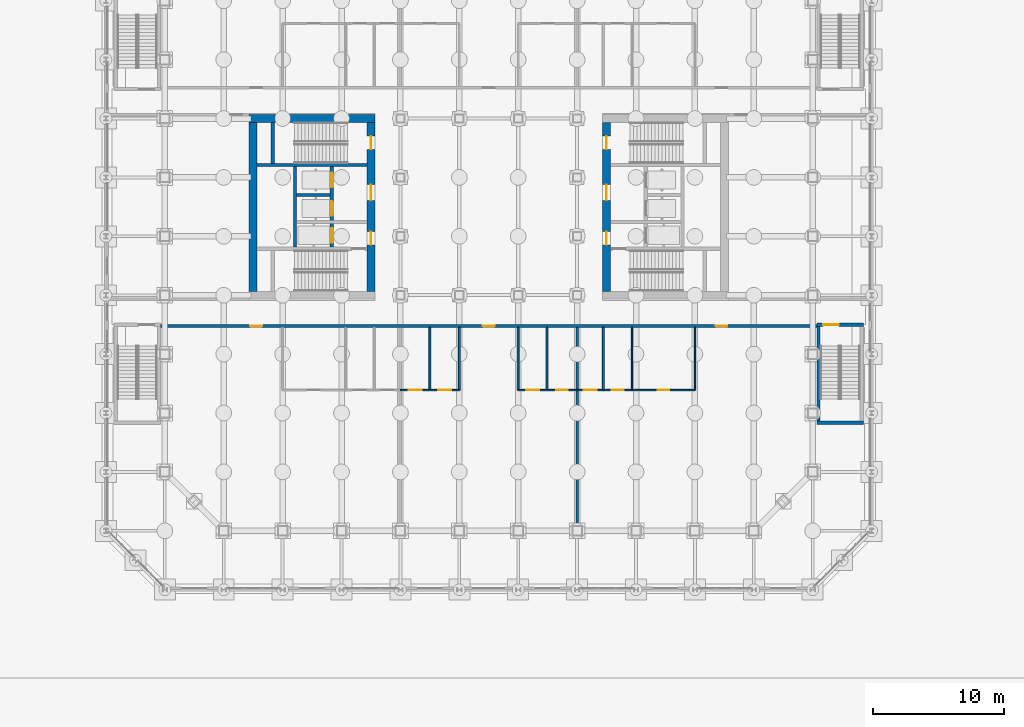
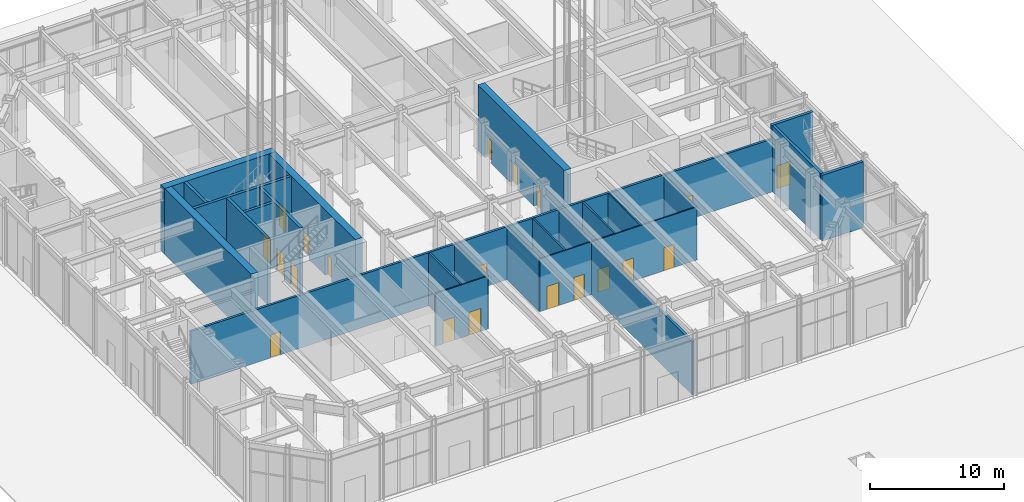
# One storey, part 19 of 39: 24 walls, 20 doors, 20 openings.
"""IFC4 building model written with IfcOpenShell, lengths in metres."""

from ifc_helpers import new_model, si_unit, direction, frame, frame_2d, origin, place, context, subcontext, project, spatial, rectangle, extrude, material, layer, layer_set, type_object, element, fill, save


model = new_model("IFC4")

# Units and contexts
model_context = context("Model", 3, precision=1e-05, world=origin(), true_north=direction((0.0, 1.0)))
body_context = subcontext(model_context, "Body", "Model", "MODEL_VIEW")
ifc_project = project(units=[si_unit("LENGTHUNIT", "METRE"), si_unit("AREAUNIT", "SQUARE_METRE"), si_unit("VOLUMEUNIT", "CUBIC_METRE"), si_unit("PLANEANGLEUNIT", "RADIAN"), si_unit("MASSUNIT", "GRAM", prefix="KILO")], contexts=[model_context])

# Site, building, storey
site_placement = place(None, origin())
site = spatial("IfcSite", under=ifc_project, at=site_placement, CompositionType="ELEMENT")
building_placement = place(site_placement, origin())
building = spatial("IfcBuilding", under=site, at=building_placement, Name="Msasa Ring Tower", CompositionType="ELEMENT")
storey_placement = place(building_placement, origin())
storey = spatial("IfcBuildingStorey", under=building, at=storey_placement, Name="L00", CompositionType="ELEMENT", Elevation=0.0)

# Wall, openings, doors
ifc_material_1 = material(Name="Concrete C60/75", Category="concrete")
ifc_layer_1 = layer(ifc_material_1, 0.60009765625)
ifc_layer_set_1 = layer_set([ifc_layer_1], Name="CW1 CORE WALL 600")
wall_type_1 = type_object("IfcWallType", Name="CW1 CORE WALL 600", PredefinedType="SHEAR", material=ifc_layer_set_1)
wall_1_placement = place(storey_placement, frame((9.0, -6.449951171875, 0.0), z_axis=(0.0, 0.0, 1.0), x_axis=(0.0, 1.0, 0.0)))
wall_1 = element("IfcWall", 1, at=wall_1_placement, inside=storey, type_object=wall_type_1, Name="E core wall W L00", PredefinedType="SHEAR", context=body_context, shape_type="SweptSolid", body=[
    extrude(rectangle(XDim=12.89990234375, YDim=0.60009765625, at=frame_2d((6.449951171875, 0.0))), origin(), (0.0, 0.0, 1.0), 6.0),
])
opening_1_placement = place(wall_1_placement, frame((3.550048828125, 0.0, 0.0)))
opening_1 = element("IfcOpeningElement", 2, at=opening_1_placement, cuts=wall_1, Name="Opening L00-031", PredefinedType="OPENING", context=body_context, shape_type="SweptSolid", body=[
    extrude(rectangle(XDim=1.0, YDim=2.10009765625, at=frame_2d((0.5, 1.050048828125))), frame((0.0, 0.31005859375, 0.0), z_axis=(0.0, -1.0, 0.0), x_axis=(1.0, 0.0, 0.0)), (0.0, 0.0, 1.0), 0.6201171875),
])
opening_2_placement = place(wall_1_placement, frame((6.949951171875, 0.0, 0.0)))
opening_2 = element("IfcOpeningElement", 3, at=opening_2_placement, cuts=wall_1, Name="Opening L00-028", PredefinedType="OPENING", context=body_context, shape_type="SweptSolid", body=[
    extrude(rectangle(XDim=1.199951171875, YDim=2.10009765625, at=frame_2d((0.60009765625, 1.050048828125))), frame((0.0, 0.31005859375, 0.0), z_axis=(0.0, -1.0, 0.0), x_axis=(1.0, 0.0, 0.0)), (0.0, 0.0, 1.0), 0.6201171875),
])
opening_3_placement = place(wall_1_placement, frame((10.85009765625, 0.0, 0.0)))
opening_3 = element("IfcOpeningElement", 4, at=opening_3_placement, cuts=wall_1, Name="Opening L00-026", PredefinedType="OPENING", context=body_context, shape_type="SweptSolid", body=[
    extrude(rectangle(XDim=1.0, YDim=2.10009765625, at=frame_2d((0.5, 1.050048828125))), frame((0.0, 0.31005859375, 0.0), z_axis=(0.0, -1.0, 0.0), x_axis=(1.0, 0.0, 0.0)), (0.0, 0.0, 1.0), 0.6201171875),
])
ifc_material_2 = material(Name="Timber door leaf in a steel frame", Category="steel")
door_type_1 = type_object("IfcDoorType", Name="D4 LOBBY DOOR 1000x2100", OperationType="SINGLE_SWING_LEFT", PredefinedType="DOOR", material=ifc_material_2)
door_1_placement = place(opening_1_placement, origin())
door_1 = element("IfcDoor", 5, at=door_1_placement, inside=storey, type_object=door_type_1, Name="Door L00-EFFL", OperationType="SINGLE_SWING_LEFT", OverallHeight=2.10009765625, OverallWidth=1.0, PredefinedType="DOOR", context=body_context, shape_type="SweptSolid", body=[
    extrude(rectangle(XDim=1.0, YDim=2.10009765625, at=frame_2d((0.5, 1.050048828125))), frame((0.0, 0.02490234375, 0.0), z_axis=(0.0, -1.0, 0.0), x_axis=(1.0, 0.0, 0.0)), (0.0, 0.0, 1.0), 0.050048828125),
])
fill(opening_1, door_1)
ifc_material_3 = material(Name="Timber door leaf in a steel frame", Category="steel")
door_type_2 = type_object("IfcDoorType", Name="D5 WIDE LOBBY DOOR 1200x2100", OperationType="SINGLE_SWING_LEFT", PredefinedType="DOOR", material=ifc_material_3)
door_2_placement = place(opening_2_placement, origin())
door_2 = element("IfcDoor", 6, at=door_2_placement, inside=storey, type_object=door_type_2, Name="Door L00-ELL", OperationType="SINGLE_SWING_RIGHT", OverallHeight=2.10009765625, OverallWidth=1.199951171875, PredefinedType="DOOR", context=body_context, shape_type="SweptSolid", body=[
    extrude(rectangle(XDim=1.199951171875, YDim=2.10009765625, at=frame_2d((0.60009765625, 1.050048828125))), frame((0.0, 0.02490234375, 0.0), z_axis=(0.0, -1.0, 0.0), x_axis=(1.0, 0.0, 0.0)), (0.0, 0.0, 1.0), 0.050048828125),
])
fill(opening_2, door_2)
ifc_material_4 = material(Name="Timber door leaf in a steel frame", Category="steel")
door_type_3 = type_object("IfcDoorType", Name="D6 STAIR DOOR 1000x2100", OperationType="SINGLE_SWING_LEFT", PredefinedType="DOOR", material=ifc_material_4)
door_3_placement = place(opening_3_placement, origin())
door_3 = element("IfcDoor", 7, at=door_3_placement, inside=storey, type_object=door_type_3, Name="Door L00-ESTB", OperationType="SINGLE_SWING_RIGHT", OverallHeight=2.10009765625, OverallWidth=1.0, PredefinedType="DOOR", context=body_context, shape_type="SweptSolid", body=[
    extrude(rectangle(XDim=1.0, YDim=2.10009765625, at=frame_2d((0.5, 1.050048828125))), frame((0.0, 0.02490234375, 0.0), z_axis=(0.0, -1.0, 0.0), x_axis=(1.0, 0.0, 0.0)), (0.0, 0.0, 1.0), 0.050048828125),
])
fill(opening_3, door_3)

# Wall
wall_2_placement = place(storey_placement, frame((-8.699951171875, 6.75, 0.0), z_axis=(0.0, 0.0, 1.0), x_axis=(-1.0, 0.0, 0.0)))
element("IfcWall", 8, at=wall_2_placement, inside=storey, type_object=wall_type_1, Name="W core wall N L00", PredefinedType="SHEAR", context=body_context, shape_type="SweptSolid", body=[
    extrude(rectangle(XDim=9.60009765625, YDim=0.60009765625, at=frame_2d((4.800048828125, 0.0))), origin(), (0.0, 0.0, 1.0), 6.0),
])

# Wall, openings, doors
wall_3_placement = place(storey_placement, frame((-9.0, -6.449951171875, 0.0), z_axis=(0.0, 0.0, 1.0), x_axis=(0.0, 1.0, 0.0)))
wall_3 = element("IfcWall", 9, at=wall_3_placement, inside=storey, type_object=wall_type_1, Name="W core wall W L00", PredefinedType="SHEAR", context=body_context, shape_type="SweptSolid", body=[
    extrude(rectangle(XDim=12.89990234375, YDim=0.60009765625, at=frame_2d((6.449951171875, 0.0))), origin(), (0.0, 0.0, 1.0), 6.0),
])
opening_4_placement = place(wall_3_placement, frame((3.550048828125, 0.0, 0.0)))
opening_4 = element("IfcOpeningElement", 10, at=opening_4_placement, cuts=wall_3, Name="Opening L00-030", PredefinedType="OPENING", context=body_context, shape_type="SweptSolid", body=[
    extrude(rectangle(XDim=1.0, YDim=2.10009765625, at=frame_2d((0.5, 1.050048828125))), frame((0.0, 0.31005859375, 0.0), z_axis=(0.0, -1.0, 0.0), x_axis=(1.0, 0.0, 0.0)), (0.0, 0.0, 1.0), 0.6201171875),
])
opening_5_placement = place(wall_3_placement, frame((6.949951171875, 0.0, 0.0)))
opening_5 = element("IfcOpeningElement", 11, at=opening_5_placement, cuts=wall_3, Name="Opening L00-027", PredefinedType="OPENING", context=body_context, shape_type="SweptSolid", body=[
    extrude(rectangle(XDim=1.199951171875, YDim=2.10009765625, at=frame_2d((0.60009765625, 1.050048828125))), frame((0.0, 0.31005859375, 0.0), z_axis=(0.0, -1.0, 0.0), x_axis=(1.0, 0.0, 0.0)), (0.0, 0.0, 1.0), 0.6201171875),
])
opening_6_placement = place(wall_3_placement, frame((10.85009765625, 0.0, 0.0)))
opening_6 = element("IfcOpeningElement", 12, at=opening_6_placement, cuts=wall_3, Name="Opening L00-025", PredefinedType="OPENING", context=body_context, shape_type="SweptSolid", body=[
    extrude(rectangle(XDim=1.0, YDim=2.10009765625, at=frame_2d((0.5, 1.050048828125))), frame((0.0, 0.31005859375, 0.0), z_axis=(0.0, -1.0, 0.0), x_axis=(1.0, 0.0, 0.0)), (0.0, 0.0, 1.0), 0.6201171875),
])
door_4_placement = place(opening_4_placement, origin())
door_4 = element("IfcDoor", 13, at=door_4_placement, inside=storey, type_object=door_type_1, Name="Door L00-WFFL", OperationType="SINGLE_SWING_LEFT", OverallHeight=2.10009765625, OverallWidth=1.0, PredefinedType="DOOR", context=body_context, shape_type="SweptSolid", body=[
    extrude(rectangle(XDim=1.0, YDim=2.10009765625, at=frame_2d((0.5, 1.050048828125))), frame((0.0, 0.02490234375, 0.0), z_axis=(0.0, -1.0, 0.0), x_axis=(1.0, 0.0, 0.0)), (0.0, 0.0, 1.0), 0.050048828125),
])
fill(opening_4, door_4)
door_5_placement = place(opening_5_placement, origin())
door_5 = element("IfcDoor", 14, at=door_5_placement, inside=storey, type_object=door_type_2, Name="Door L00-WLL", OperationType="SINGLE_SWING_RIGHT", OverallHeight=2.10009765625, OverallWidth=1.199951171875, PredefinedType="DOOR", context=body_context, shape_type="SweptSolid", body=[
    extrude(rectangle(XDim=1.199951171875, YDim=2.10009765625, at=frame_2d((0.60009765625, 1.050048828125))), frame((0.0, 0.02490234375, 0.0), z_axis=(0.0, -1.0, 0.0), x_axis=(1.0, 0.0, 0.0)), (0.0, 0.0, 1.0), 0.050048828125),
])
fill(opening_5, door_5)
door_6_placement = place(opening_6_placement, origin())
door_6 = element("IfcDoor", 15, at=door_6_placement, inside=storey, type_object=door_type_3, Name="Door L00-WSTB", OperationType="SINGLE_SWING_RIGHT", OverallHeight=2.10009765625, OverallWidth=1.0, PredefinedType="DOOR", context=body_context, shape_type="SweptSolid", body=[
    extrude(rectangle(XDim=1.0, YDim=2.10009765625, at=frame_2d((0.5, 1.050048828125))), frame((0.0, 0.02490234375, 0.0), z_axis=(0.0, -1.0, 0.0), x_axis=(1.0, 0.0, 0.0)), (0.0, 0.0, 1.0), 0.050048828125),
])
fill(opening_6, door_6)

# Walls
wall_4_placement = place(storey_placement, frame((-18.0, -6.449951171875, 0.0), z_axis=(0.0, 0.0, 1.0), x_axis=(0.0, 1.0, 0.0)))
element("IfcWall", 16, at=wall_4_placement, inside=storey, type_object=wall_type_1, Name="W core wall E L00", PredefinedType="SHEAR", context=body_context, shape_type="SweptSolid", body=[
    extrude(rectangle(XDim=12.89990234375, YDim=0.60009765625, at=frame_2d((6.449951171875, 0.0))), origin(), (0.0, 0.0, 1.0), 6.0),
])
ifc_material_5 = material(Name="Concrete C60/75", Category="concrete")
ifc_layer_2 = layer(ifc_material_5, 0.25)
ifc_layer_set_2 = layer_set([ifc_layer_2], Name="CW4 CORE INNER WALL 250")
wall_type_2 = type_object("IfcWallType", Name="CW4 CORE INNER WALL 250", PredefinedType="SHEAR", material=ifc_layer_set_2)
wall_5_placement = place(storey_placement, frame((-9.300048828125, 3.199951171875, 0.0), z_axis=(0.0, 0.0, 1.0), x_axis=(-1.0, 0.0, 0.0)))
element("IfcWall", 17, at=wall_5_placement, inside=storey, type_object=wall_type_2, Name="W core wall STAIRB L00", PredefinedType="SHEAR", context=body_context, shape_type="SweptSolid", body=[
    extrude(rectangle(XDim=8.39990234375, YDim=0.25, at=frame_2d((4.199951171875, 0.0))), origin(), (0.0, 0.0, 1.0), 6.0),
])
wall_6_placement = place(storey_placement, frame((-16.5, 3.324951171875, 0.0), z_axis=(0.0, 0.0, 1.0), x_axis=(0.0, 1.0, 0.0)))
element("IfcWall", 18, at=wall_6_placement, inside=storey, type_object=wall_type_2, Name="W core wall RISERB L00", PredefinedType="SHEAR", context=body_context, shape_type="SweptSolid", body=[
    extrude(rectangle(XDim=3.125, YDim=0.25, at=frame_2d((1.5625, 0.0))), origin(), (0.0, 0.0, 1.0), 6.0),
])

# Wall, openings, doors
wall_7_placement = place(storey_placement, frame((-12.0, -3.074951171875, 0.0), z_axis=(0.0, 0.0, 1.0), x_axis=(0.0, 1.0, 0.0)))
wall_7 = element("IfcWall", 19, at=wall_7_placement, inside=storey, type_object=wall_type_2, Name="W core wall LOBBY L00", PredefinedType="SHEAR", context=body_context, shape_type="SweptSolid", body=[
    extrude(rectangle(XDim=6.14990234375, YDim=0.25, at=frame_2d((3.074951171875, 0.0))), origin(), (0.0, 0.0, 1.0), 6.0),
])
opening_7_placement = place(wall_7_placement, frame((0.35009765625, 0.0, 0.0)))
opening_7 = element("IfcOpeningElement", 20, at=opening_7_placement, cuts=wall_7, Name="Opening LD1", PredefinedType="OPENING", context=body_context, shape_type="SweptSolid", body=[
    extrude(rectangle(XDim=1.10009765625, YDim=2.10009765625, at=frame_2d((0.550048828125, 1.050048828125))), frame((0.0, 0.135009765625, 0.0), z_axis=(0.0, -1.0, 0.0), x_axis=(1.0, 0.0, 0.0)), (0.0, 0.0, 1.0), 0.27001953125),
])
opening_8_placement = place(wall_7_placement, frame((2.39990234375, 0.0, 0.0)))
opening_8 = element("IfcOpeningElement", 21, at=opening_8_placement, cuts=wall_7, Name="Opening LD1", PredefinedType="OPENING", context=body_context, shape_type="SweptSolid", body=[
    extrude(rectangle(XDim=1.10009765625, YDim=2.10009765625, at=frame_2d((0.550048828125, 1.050048828125))), frame((0.0, 0.135009765625, 0.0), z_axis=(0.0, -1.0, 0.0), x_axis=(1.0, 0.0, 0.0)), (0.0, 0.0, 1.0), 0.27001953125),
])
opening_9_placement = place(wall_7_placement, frame((4.574951171875, 0.0, 0.0)))
opening_9 = element("IfcOpeningElement", 22, at=opening_9_placement, cuts=wall_7, Name="Opening LD1", PredefinedType="OPENING", context=body_context, shape_type="SweptSolid", body=[
    extrude(rectangle(XDim=1.10009765625, YDim=2.10009765625, at=frame_2d((0.550048828125, 1.050048828125))), frame((0.0, 0.135009765625, 0.0), z_axis=(0.0, -1.0, 0.0), x_axis=(1.0, 0.0, 0.0)), (0.0, 0.0, 1.0), 0.27001953125),
])
ifc_material_6 = material(Name="Stainless steel lift landing door", Category="steel")
door_type_4 = type_object("IfcDoorType", Name="LD1 LIFT LANDING DOOR 1100x2100", OperationType="DOUBLE_DOOR_SLIDING", PredefinedType="DOOR", material=ifc_material_6)
door_7_placement = place(opening_7_placement, origin())
door_7 = element("IfcDoor", 23, at=door_7_placement, inside=storey, type_object=door_type_4, Name="Lift landing door FL-W L00", OperationType="DOUBLE_DOOR_SLIDING", OverallHeight=2.10009765625, OverallWidth=1.10009765625, PredefinedType="DOOR", context=body_context, shape_type="SweptSolid", body=[
    extrude(rectangle(XDim=1.10009765625, YDim=2.10009765625, at=frame_2d((0.550048828125, 1.050048828125))), frame((0.0, 0.02490234375, 0.0), z_axis=(0.0, -1.0, 0.0), x_axis=(1.0, 0.0, 0.0)), (0.0, 0.0, 1.0), 0.050048828125),
])
fill(opening_7, door_7)
door_8_placement = place(opening_8_placement, origin())
door_8 = element("IfcDoor", 24, at=door_8_placement, inside=storey, type_object=door_type_4, Name="Lift landing door PL-X1 L00", OperationType="DOUBLE_DOOR_SLIDING", OverallHeight=2.10009765625, OverallWidth=1.10009765625, PredefinedType="DOOR", context=body_context, shape_type="SweptSolid", body=[
    extrude(rectangle(XDim=1.10009765625, YDim=2.10009765625, at=frame_2d((0.550048828125, 1.050048828125))), frame((0.0, 0.02490234375, 0.0), z_axis=(0.0, -1.0, 0.0), x_axis=(1.0, 0.0, 0.0)), (0.0, 0.0, 1.0), 0.050048828125),
])
fill(opening_8, door_8)
door_9_placement = place(opening_9_placement, origin())
door_9 = element("IfcDoor", 25, at=door_9_placement, inside=storey, type_object=door_type_4, Name="Lift landing door PL-X2 L00", OperationType="DOUBLE_DOOR_SLIDING", OverallHeight=2.10009765625, OverallWidth=1.10009765625, PredefinedType="DOOR", context=body_context, shape_type="SweptSolid", body=[
    extrude(rectangle(XDim=1.10009765625, YDim=2.10009765625, at=frame_2d((0.550048828125, 1.050048828125))), frame((0.0, 0.02490234375, 0.0), z_axis=(0.0, -1.0, 0.0), x_axis=(1.0, 0.0, 0.0)), (0.0, 0.0, 1.0), 0.050048828125),
])
fill(opening_9, door_9)

# Walls
wall_8_placement = place(storey_placement, frame((-14.800048828125, -3.074951171875, 0.0), z_axis=(0.0, 0.0, 1.0), x_axis=(0.0, 1.0, 0.0)))
element("IfcWall", 26, at=wall_8_placement, inside=storey, type_object=wall_type_2, Name="W core wall SHAFT L00", PredefinedType="SHEAR", context=body_context, shape_type="SweptSolid", body=[
    extrude(rectangle(XDim=6.14990234375, YDim=0.25, at=frame_2d((3.074951171875, 0.0))), origin(), (0.0, 0.0, 1.0), 6.0),
])
wall_9_placement = place(storey_placement, frame((-12.125, 0.89990234375, 0.0), z_axis=(0.0, 0.0, 1.0), x_axis=(-1.0, 0.0, 0.0)))
element("IfcWall", 27, at=wall_9_placement, inside=storey, type_object=wall_type_2, Name="W core wall LIFT1 L00", PredefinedType="SHEAR", context=body_context, shape_type="SweptSolid", body=[
    extrude(rectangle(XDim=2.550048828125, YDim=0.25, at=frame_2d((1.27490234375, 0.0))), origin(), (0.0, 0.0, 1.0), 6.0),
])

# Wall, openings, doors
ifc_material_7 = material(Name="Concrete blockwork", Category="masonry")
ifc_layer_3 = layer(ifc_material_7, 0.199951171875)
ifc_layer_set_3 = layer_set([ifc_layer_3], Name="PT1 CORRIDOR WALL 200")
wall_type_3 = type_object("IfcWallType", Name="PT1 CORRIDOR WALL 200", PredefinedType="PARTITIONING", material=ifc_layer_set_3)
wall_10_placement = place(storey_placement, frame((-25.074951171875, -9.10009765625, 0.0), z_axis=(0.0, 0.0, 1.0), x_axis=(1.0, 0.0, 0.0)))
wall_10 = element("IfcWall", 28, at=wall_10_placement, inside=storey, type_object=wall_type_3, Name="Corridor wall L00-CORRS1", PredefinedType="PARTITIONING", context=body_context, shape_type="SweptSolid", body=[
    extrude(rectangle(XDim=50.14990234375, YDim=0.199951171875, at=frame_2d((25.074951171875, 0.0))), origin(), (0.0, 0.0, 1.0), 4.8291015625),
])
opening_10_placement = place(wall_10_placement, frame((6.85009765625, 0.0, 0.0)))
opening_10 = element("IfcOpeningElement", 29, at=opening_10_placement, cuts=wall_10, Name="Opening L00-039", PredefinedType="OPENING", context=body_context, shape_type="SweptSolid", body=[
    extrude(rectangle(XDim=0.89990234375, YDim=2.10009765625, at=frame_2d((0.449951171875, 1.050048828125))), frame((0.0, 0.10986328125, 0.0), z_axis=(0.0, -1.0, 0.0), x_axis=(1.0, 0.0, 0.0)), (0.0, 0.0, 1.0), 0.219970703125),
])
opening_11_placement = place(wall_10_placement, frame((24.625, 0.0, 0.0)))
opening_11 = element("IfcOpeningElement", 30, at=opening_11_placement, cuts=wall_10, Name="Opening L00-040", PredefinedType="OPENING", context=body_context, shape_type="SweptSolid", body=[
    extrude(rectangle(XDim=0.89990234375, YDim=2.10009765625, at=frame_2d((0.449951171875, 1.050048828125))), frame((0.0, 0.10986328125, 0.0), z_axis=(0.0, -1.0, 0.0), x_axis=(1.0, 0.0, 0.0)), (0.0, 0.0, 1.0), 0.219970703125),
])
opening_12_placement = place(wall_10_placement, frame((42.39990234375, 0.0, 0.0)))
opening_12 = element("IfcOpeningElement", 31, at=opening_12_placement, cuts=wall_10, Name="Opening L00-041", PredefinedType="OPENING", context=body_context, shape_type="SweptSolid", body=[
    extrude(rectangle(XDim=0.89990234375, YDim=2.10009765625, at=frame_2d((0.449951171875, 1.050048828125))), frame((0.0, 0.10986328125, 0.0), z_axis=(0.0, -1.0, 0.0), x_axis=(1.0, 0.0, 0.0)), (0.0, 0.0, 1.0), 0.219970703125),
])
ifc_material_8 = material(Name="Timber door leaf in a steel frame", Category="steel")
door_type_5 = type_object("IfcDoorType", Name="D1 SINGLE DOOR TO CORRIDOR 900x2100", OperationType="SINGLE_SWING_LEFT", PredefinedType="DOOR", material=ifc_material_8)
door_10_placement = place(opening_10_placement, origin())
door_10 = element("IfcDoor", 32, at=door_10_placement, inside=storey, type_object=door_type_5, Name="Door L00-PDS0", OperationType="SINGLE_SWING_LEFT", OverallHeight=2.10009765625, OverallWidth=0.89990234375, PredefinedType="DOOR", context=body_context, shape_type="SweptSolid", body=[
    extrude(rectangle(XDim=0.89990234375, YDim=2.10009765625, at=frame_2d((0.449951171875, 1.050048828125))), frame((0.0, 0.02490234375, 0.0), z_axis=(0.0, -1.0, 0.0), x_axis=(1.0, 0.0, 0.0)), (0.0, 0.0, 1.0), 0.050048828125),
])
fill(opening_10, door_10)
door_11_placement = place(opening_11_placement, origin())
door_11 = element("IfcDoor", 33, at=door_11_placement, inside=storey, type_object=door_type_5, Name="Door L00-PDS1", OperationType="SINGLE_SWING_LEFT", OverallHeight=2.10009765625, OverallWidth=0.89990234375, PredefinedType="DOOR", context=body_context, shape_type="SweptSolid", body=[
    extrude(rectangle(XDim=0.89990234375, YDim=2.10009765625, at=frame_2d((0.449951171875, 1.050048828125))), frame((0.0, 0.02490234375, 0.0), z_axis=(0.0, -1.0, 0.0), x_axis=(1.0, 0.0, 0.0)), (0.0, 0.0, 1.0), 0.050048828125),
])
fill(opening_11, door_11)
door_12_placement = place(opening_12_placement, origin())
door_12 = element("IfcDoor", 34, at=door_12_placement, inside=storey, type_object=door_type_5, Name="Door L00-PDS2", OperationType="SINGLE_SWING_RIGHT", OverallHeight=2.10009765625, OverallWidth=0.89990234375, PredefinedType="DOOR", context=body_context, shape_type="SweptSolid", body=[
    extrude(rectangle(XDim=0.89990234375, YDim=2.10009765625, at=frame_2d((0.449951171875, 1.050048828125))), frame((0.0, 0.02490234375, 0.0), z_axis=(0.0, -1.0, 0.0), x_axis=(1.0, 0.0, 0.0)), (0.0, 0.0, 1.0), 0.050048828125),
])
fill(opening_12, door_12)

ifc_material_9 = material(Name="Gypsum board on steel studs", Category="steel")
ifc_layer_4 = layer(ifc_material_9, 0.10009765625)
ifc_layer_set_4 = layer_set([ifc_layer_4], Name="PT2 STUD PARTITION 100")
wall_type_4 = type_object("IfcWallType", Name="PT2 STUD PARTITION 100", PredefinedType="PARTITIONING", material=ifc_layer_set_4)
wall_11_placement = place(storey_placement, frame((-6.75, -14.0, 0.0), z_axis=(0.0, 0.0, 1.0), x_axis=(1.0, 0.0, 0.0)))
wall_11 = element("IfcWall", 35, at=wall_11_placement, inside=storey, type_object=wall_type_4, Name="Partition L00-PDS1BY", PredefinedType="PARTITIONING", context=body_context, shape_type="SweptSolid", body=[
    extrude(rectangle(XDim=4.5, YDim=0.10009765625, at=frame_2d((2.25, 0.0))), origin(), (0.0, 0.0, 1.0), 4.8291015625),
])
opening_13_placement = place(wall_11_placement, frame((0.625, 0.0, 0.0)))
opening_13 = element("IfcOpeningElement", 36, at=opening_13_placement, cuts=wall_11, Name="Opening L00-045", PredefinedType="OPENING", context=body_context, shape_type="SweptSolid", body=[
    extrude(rectangle(XDim=1.0, YDim=2.10009765625, at=frame_2d((0.5, 1.050048828125))), frame((0.0, 0.06005859375, 0.0), z_axis=(0.0, -1.0, 0.0), x_axis=(1.0, 0.0, 0.0)), (0.0, 0.0, 1.0), 0.1201171875),
])
opening_14_placement = place(wall_11_placement, frame((2.875, 0.0, 0.0)))
opening_14 = element("IfcOpeningElement", 37, at=opening_14_placement, cuts=wall_11, Name="Opening L00-046", PredefinedType="OPENING", context=body_context, shape_type="SweptSolid", body=[
    extrude(rectangle(XDim=1.0, YDim=2.10009765625, at=frame_2d((0.5, 1.050048828125))), frame((0.0, 0.06005859375, 0.0), z_axis=(0.0, -1.0, 0.0), x_axis=(1.0, 0.0, 0.0)), (0.0, 0.0, 1.0), 0.1201171875),
])
ifc_material_10 = material(Name="Timber door leaf in a steel frame", Category="steel")
door_type_6 = type_object("IfcDoorType", Name="D12 WC DOOR 1000x2100", OperationType="SINGLE_SWING_LEFT", PredefinedType="DOOR", material=ifc_material_10)
door_13_placement = place(opening_13_placement, origin())
door_13 = element("IfcDoor", 38, at=door_13_placement, inside=storey, type_object=door_type_6, Name="Door L00-PDS1B0", OperationType="SINGLE_SWING_LEFT", OverallHeight=2.10009765625, OverallWidth=1.0, PredefinedType="DOOR", context=body_context, shape_type="SweptSolid", body=[
    extrude(rectangle(XDim=1.0, YDim=2.10009765625, at=frame_2d((0.5, 1.050048828125))), frame((0.0, 0.02490234375, 0.0), z_axis=(0.0, -1.0, 0.0), x_axis=(1.0, 0.0, 0.0)), (0.0, 0.0, 1.0), 0.050048828125),
])
fill(opening_13, door_13)
door_14_placement = place(opening_14_placement, origin())
door_14 = element("IfcDoor", 39, at=door_14_placement, inside=storey, type_object=door_type_6, Name="Door L00-PDS1B1", OperationType="SINGLE_SWING_RIGHT", OverallHeight=2.10009765625, OverallWidth=1.0, PredefinedType="DOOR", context=body_context, shape_type="SweptSolid", body=[
    extrude(rectangle(XDim=1.0, YDim=2.10009765625, at=frame_2d((0.5, 1.050048828125))), frame((0.0, 0.02490234375, 0.0), z_axis=(0.0, -1.0, 0.0), x_axis=(1.0, 0.0, 0.0)), (0.0, 0.0, 1.0), 0.050048828125),
])
fill(opening_14, door_14)

wall_12_placement = place(storey_placement, frame((2.25, -14.0, 0.0), z_axis=(0.0, 0.0, 1.0), x_axis=(1.0, 0.0, 0.0)))
wall_12 = element("IfcWall", 40, at=wall_12_placement, inside=storey, type_object=wall_type_4, Name="Partition L00-PDS1BY1", PredefinedType="PARTITIONING", context=body_context, shape_type="SweptSolid", body=[
    extrude(rectangle(XDim=4.5, YDim=0.10009765625, at=frame_2d((2.25, 0.0))), origin(), (0.0, 0.0, 1.0), 4.8291015625),
])
opening_15_placement = place(wall_12_placement, frame((0.60009765625, 0.0, 0.0)))
opening_15 = element("IfcOpeningElement", 41, at=opening_15_placement, cuts=wall_12, Name="Opening L00-047", PredefinedType="OPENING", context=body_context, shape_type="SweptSolid", body=[
    extrude(rectangle(XDim=1.0, YDim=2.10009765625, at=frame_2d((0.5, 1.050048828125))), frame((0.0, 0.06005859375, 0.0), z_axis=(0.0, -1.0, 0.0), x_axis=(1.0, 0.0, 0.0)), (0.0, 0.0, 1.0), 0.1201171875),
])
opening_16_placement = place(wall_12_placement, frame((2.89990234375, 0.0, 0.0)))
opening_16 = element("IfcOpeningElement", 42, at=opening_16_placement, cuts=wall_12, Name="Opening L00-048", PredefinedType="OPENING", context=body_context, shape_type="SweptSolid", body=[
    extrude(rectangle(XDim=0.89990234375, YDim=2.10009765625, at=frame_2d((0.449951171875, 1.050048828125))), frame((0.0, 0.06005859375, 0.0), z_axis=(0.0, -1.0, 0.0), x_axis=(1.0, 0.0, 0.0)), (0.0, 0.0, 1.0), 0.1201171875),
])
door_15_placement = place(opening_15_placement, origin())
door_15 = element("IfcDoor", 43, at=door_15_placement, inside=storey, type_object=door_type_6, Name="Door L00-PDS1B2", OperationType="SINGLE_SWING_LEFT", OverallHeight=2.10009765625, OverallWidth=1.0, PredefinedType="DOOR", context=body_context, shape_type="SweptSolid", body=[
    extrude(rectangle(XDim=1.0, YDim=2.10009765625, at=frame_2d((0.5, 1.050048828125))), frame((0.0, 0.02490234375, 0.0), z_axis=(0.0, -1.0, 0.0), x_axis=(1.0, 0.0, 0.0)), (0.0, 0.0, 1.0), 0.050048828125),
])
fill(opening_15, door_15)
ifc_material_11 = material(Name="Timber door leaf in a steel frame", Category="steel")
door_type_7 = type_object("IfcDoorType", Name="D22 INTERNAL HALL DOOR 900x2100", OperationType="SINGLE_SWING_LEFT", PredefinedType="DOOR", material=ifc_material_11)
door_16_placement = place(opening_16_placement, origin())
door_16 = element("IfcDoor", 44, at=door_16_placement, inside=storey, type_object=door_type_7, Name="Door L00-PDS1B3", OperationType="SINGLE_SWING_RIGHT", OverallHeight=2.10009765625, OverallWidth=0.89990234375, PredefinedType="DOOR", context=body_context, shape_type="SweptSolid", body=[
    extrude(rectangle(XDim=0.89990234375, YDim=2.10009765625, at=frame_2d((0.449951171875, 1.050048828125))), frame((0.0, 0.02490234375, 0.0), z_axis=(0.0, -1.0, 0.0), x_axis=(1.0, 0.0, 0.0)), (0.0, 0.0, 1.0), 0.050048828125),
])
fill(opening_16, door_16)

wall_13_placement = place(storey_placement, frame((6.75, -14.0, 0.0), z_axis=(0.0, 0.0, 1.0), x_axis=(1.0, 0.0, 0.0)))
wall_13 = element("IfcWall", 45, at=wall_13_placement, inside=storey, type_object=wall_type_4, Name="Partition L00-PDS2BY", PredefinedType="PARTITIONING", context=body_context, shape_type="SweptSolid", body=[
    extrude(rectangle(XDim=9.0, YDim=0.10009765625, at=frame_2d((4.5, 0.0))), origin(), (0.0, 0.0, 1.0), 4.8291015625),
])
opening_17_placement = place(wall_13_placement, frame((6.14990234375, 0.0, 0.0)))
opening_17 = element("IfcOpeningElement", 46, at=opening_17_placement, cuts=wall_13, Name="Opening L00-051", PredefinedType="OPENING", context=body_context, shape_type="SweptSolid", body=[
    extrude(rectangle(XDim=0.89990234375, YDim=2.10009765625, at=frame_2d((0.449951171875, 1.050048828125))), frame((0.0, 0.06005859375, 0.0), z_axis=(0.0, -1.0, 0.0), x_axis=(1.0, 0.0, 0.0)), (0.0, 0.0, 1.0), 0.1201171875),
])
opening_18_placement = place(wall_13_placement, frame((2.64990234375, 0.0, 0.0)))
opening_18 = element("IfcOpeningElement", 47, at=opening_18_placement, cuts=wall_13, Name="Opening L00-050", PredefinedType="OPENING", context=body_context, shape_type="SweptSolid", body=[
    extrude(rectangle(XDim=0.89990234375, YDim=2.10009765625, at=frame_2d((0.449951171875, 1.050048828125))), frame((0.0, 0.06005859375, 0.0), z_axis=(0.0, -1.0, 0.0), x_axis=(1.0, 0.0, 0.0)), (0.0, 0.0, 1.0), 0.1201171875),
])
opening_19_placement = place(wall_13_placement, frame((0.5, 0.0, 0.0)))
opening_19 = element("IfcOpeningElement", 48, at=opening_19_placement, cuts=wall_13, Name="Opening L00-049", PredefinedType="OPENING", context=body_context, shape_type="SweptSolid", body=[
    extrude(rectangle(XDim=1.0, YDim=2.10009765625, at=frame_2d((0.5, 1.050048828125))), frame((0.0, 0.06005859375, 0.0), z_axis=(0.0, -1.0, 0.0), x_axis=(1.0, 0.0, 0.0)), (0.0, 0.0, 1.0), 0.1201171875),
])
door_17_placement = place(opening_19_placement, origin())
door_17 = element("IfcDoor", 49, at=door_17_placement, inside=storey, type_object=door_type_6, Name="Door L00-PDS2B2", OperationType="SINGLE_SWING_LEFT", OverallHeight=2.10009765625, OverallWidth=1.0, PredefinedType="DOOR", context=body_context, shape_type="SweptSolid", body=[
    extrude(rectangle(XDim=1.0, YDim=2.10009765625, at=frame_2d((0.5, 1.050048828125))), frame((0.0, 0.02490234375, 0.0), z_axis=(0.0, -1.0, 0.0), x_axis=(1.0, 0.0, 0.0)), (0.0, 0.0, 1.0), 0.050048828125),
])
fill(opening_19, door_17)
door_18_placement = place(opening_17_placement, origin())
door_18 = element("IfcDoor", 50, at=door_18_placement, inside=storey, type_object=door_type_7, Name="Door L00-PDS2B0", OperationType="SINGLE_SWING_RIGHT", OverallHeight=2.10009765625, OverallWidth=0.89990234375, PredefinedType="DOOR", context=body_context, shape_type="SweptSolid", body=[
    extrude(rectangle(XDim=0.89990234375, YDim=2.10009765625, at=frame_2d((0.449951171875, 1.050048828125))), frame((0.0, 0.02490234375, 0.0), z_axis=(0.0, -1.0, 0.0), x_axis=(1.0, 0.0, 0.0)), (0.0, 0.0, 1.0), 0.050048828125),
])
fill(opening_17, door_18)
door_19_placement = place(opening_18_placement, origin())
door_19 = element("IfcDoor", 51, at=door_19_placement, inside=storey, type_object=door_type_7, Name="Door L00-PDS2B1", OperationType="SINGLE_SWING_LEFT", OverallHeight=2.10009765625, OverallWidth=0.89990234375, PredefinedType="DOOR", context=body_context, shape_type="SweptSolid", body=[
    extrude(rectangle(XDim=0.89990234375, YDim=2.10009765625, at=frame_2d((0.449951171875, 1.050048828125))), frame((0.0, 0.02490234375, 0.0), z_axis=(0.0, -1.0, 0.0), x_axis=(1.0, 0.0, 0.0)), (0.0, 0.0, 1.0), 0.050048828125),
])
fill(opening_18, door_19)

# Walls
for number, where, z_axis, x_axis, name in (
    (52, (10.949951171875, -14.0, 0.0), (0.0, 0.0, 1.0), (0.0, 1.0, 0.0), "Partition L00-PDS2BX+10.95"),
    (53, (15.75, -14.0, 0.0), (0.0, 0.0, 1.0), (0.0, 1.0, 0.0), "Partition L00-PDS2BX+15.75"),
):
    element("IfcWall", number, at=place(storey_placement, frame(where, z_axis=z_axis, x_axis=x_axis)), inside=storey, type_object=wall_type_4, Name=name, PredefinedType="PARTITIONING", context=body_context, shape_type="SweptSolid", body=[
        extrude(rectangle(XDim=4.800048828125, YDim=0.10009765625, at=frame_2d((2.39990234375, 0.0))), origin(), (0.0, 0.0, 1.0), 4.8291015625),
    ])
ifc_material_12 = material(Name="Dense concrete blockwork, plastered both faces", Category="masonry")
ifc_layer_5 = layer(ifc_material_12, 0.25)
ifc_layer_set_5 = layer_set([ifc_layer_5], Name="PT3 APARTMENT SEPARATING WALL 250")
wall_type_5 = type_object("IfcWallType", Name="PT3 APARTMENT SEPARATING WALL 250", PredefinedType="PARTITIONING", material=ifc_layer_set_5)
wall_14_placement = place(storey_placement, frame((6.75, -29.0888671875, 0.0), z_axis=(0.0, 0.0, 1.0), x_axis=(0.0, 1.0, 0.0)))
element("IfcWall", 54, at=wall_14_placement, inside=storey, type_object=wall_type_5, Name="Party wall L00-PWS+6.75", PredefinedType="PARTITIONING", context=body_context, shape_type="SweptSolid", body=[
    extrude(rectangle(XDim=19.888916015625, YDim=0.199951171875, at=frame_2d((9.9443359375, 0.0))), origin(), (0.0, 0.0, 1.0), 4.8291015625),
])
ifc_material_13 = material(Name="Moisture-resistant board on steel studs with a concealed cistern and pipe void, tiled", Category="steel")
ifc_layer_6 = layer(ifc_material_13, 0.14990234375)
ifc_layer_set_6 = layer_set([ifc_layer_6], Name="PT4 BATHROOM WET WALL 150")
wall_type_6 = type_object("IfcWallType", Name="PT4 BATHROOM WET WALL 150", PredefinedType="PARTITIONING", material=ifc_layer_set_6)
for number, where, z_axis, x_axis, name in (
    (55, (-4.5, -14.0, 0.0), (0.0, 0.0, 1.0), (0.0, 1.0, 0.0), "Partition L00-PDS1BX-4.50"),
    (56, (-2.25, -14.0, 0.0), (0.0, 0.0, 1.0), (0.0, 1.0, 0.0), "Partition L00-PDS1BX-2.25"),
    (57, (2.25, -14.0, 0.0), (0.0, 0.0, 1.0), (0.0, 1.0, 0.0), "Partition L00-PDS1BX+2.25"),
    (58, (4.449951171875, -14.0, 0.0), (0.0, 0.0, 1.0), (0.0, 1.0, 0.0), "Partition L00-PDS1BX+4.45"),
    (59, (8.75, -14.0, 0.0), (0.0, 0.0, 1.0), (0.0, 1.0, 0.0), "Partition L00-PDS2BX+8.75"),
):
    element("IfcWall", number, at=place(storey_placement, frame(where, z_axis=z_axis, x_axis=x_axis)), inside=storey, type_object=wall_type_6, Name=name, PredefinedType="PARTITIONING", context=body_context, shape_type="SweptSolid", body=[
        extrude(rectangle(XDim=4.800048828125, YDim=0.14990234375, at=frame_2d((2.39990234375, 0.0))), origin(), (0.0, 0.0, 1.0), 4.8291015625),
    ])
ifc_material_14 = material(Name="Concrete C60/75", Category="concrete")
ifc_layer_7 = layer(ifc_material_14, 0.25)
ifc_layer_set_7 = layer_set([ifc_layer_7], Name="SW1 STAIR WALL 250")
wall_type_7 = type_object("IfcWallType", Name="SW1 STAIR WALL 250", PredefinedType="SHEAR", material=ifc_layer_set_7)
wall_15_placement = place(storey_placement, frame((25.074951171875, -16.5, 0.0), z_axis=(0.0, 0.0, 1.0), x_axis=(1.0, 0.0, 0.0)))
element("IfcWall", 60, at=wall_15_placement, inside=storey, type_object=wall_type_7, Name="Podium stair ES wall S L00", PredefinedType="SHEAR", context=body_context, shape_type="SweptSolid", body=[
    extrude(rectangle(XDim=3.550048828125, YDim=0.25, at=frame_2d((1.77490234375, 0.0))), origin(), (0.0, 0.0, 1.0), 6.0),
])

# Wall, opening, door
wall_16_placement = place(storey_placement, frame((25.074951171875, -9.0, 0.0), z_axis=(0.0, 0.0, 1.0), x_axis=(1.0, 0.0, 0.0)))
wall_16 = element("IfcWall", 61, at=wall_16_placement, inside=storey, type_object=wall_type_7, Name="Podium stair ES wall N L00", PredefinedType="SHEAR", context=body_context, shape_type="SweptSolid", body=[
    extrude(rectangle(XDim=3.550048828125, YDim=0.25, at=frame_2d((1.77490234375, 0.0))), origin(), (0.0, 0.0, 1.0), 6.0),
])
opening_20_placement = place(wall_16_placement, frame((0.47509765625, 0.0, 0.0)))
opening_20 = element("IfcOpeningElement", 62, at=opening_20_placement, cuts=wall_16, Name="Opening L00-038", PredefinedType="OPENING", context=body_context, shape_type="SweptSolid", body=[
    extrude(rectangle(XDim=1.199951171875, YDim=2.10009765625, at=frame_2d((0.60009765625, 1.050048828125))), frame((0.0, 0.135009765625, 0.0), z_axis=(0.0, -1.0, 0.0), x_axis=(1.0, 0.0, 0.0)), (0.0, 0.0, 1.0), 0.27001953125),
])
ifc_material_15 = material(Name="Timber door leaf in a steel frame", Category="steel")
door_type_8 = type_object("IfcDoorType", Name="D7 WIDE STAIR DOOR 1200x2100", OperationType="SINGLE_SWING_LEFT", PredefinedType="DOOR", material=ifc_material_15)
door_20_placement = place(opening_20_placement, origin())
door_20 = element("IfcDoor", 63, at=door_20_placement, inside=storey, type_object=door_type_8, Name="Door L00-PSTES", OperationType="SINGLE_SWING_LEFT", OverallHeight=2.10009765625, OverallWidth=1.199951171875, PredefinedType="DOOR", context=body_context, shape_type="SweptSolid", body=[
    extrude(rectangle(XDim=1.199951171875, YDim=2.10009765625, at=frame_2d((0.60009765625, 1.050048828125))), frame((0.0, 0.02490234375, 0.0), z_axis=(0.0, -1.0, 0.0), x_axis=(1.0, 0.0, 0.0)), (0.0, 0.0, 1.0), 0.050048828125),
])
fill(opening_20, door_20)

# Wall
wall_17_placement = place(storey_placement, frame((25.199951171875, -16.375, 0.0), z_axis=(0.0, 0.0, 1.0), x_axis=(0.0, 1.0, 0.0)))
element("IfcWall", 64, at=wall_17_placement, inside=storey, type_object=wall_type_7, Name="Podium stair ES wall W L00", PredefinedType="SHEAR", context=body_context, shape_type="SweptSolid", body=[
    extrude(rectangle(XDim=7.25, YDim=0.25, at=frame_2d((3.625, 0.0))), origin(), (0.0, 0.0, 1.0), 6.0),
])

save(model, "model.ifc")
